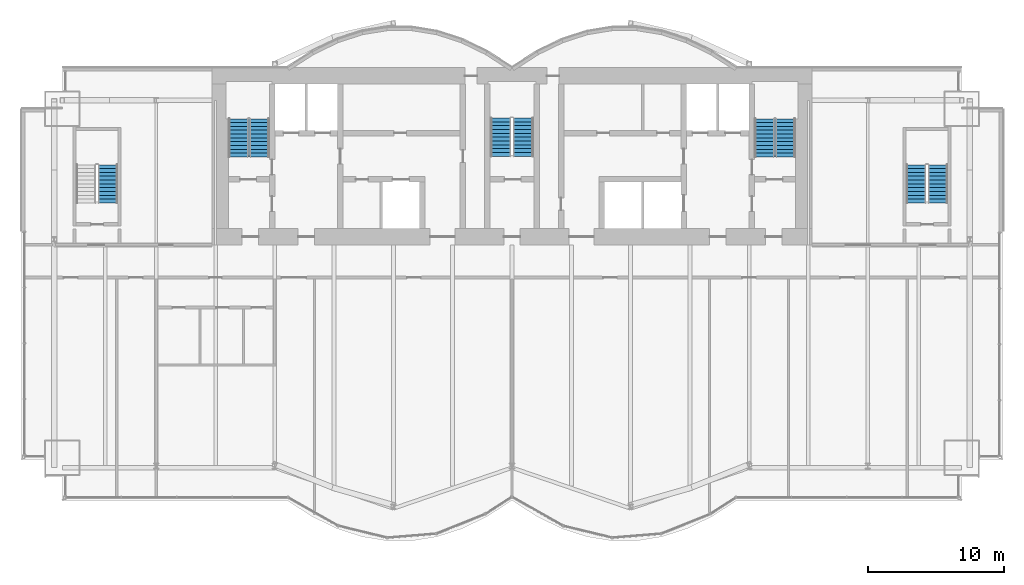
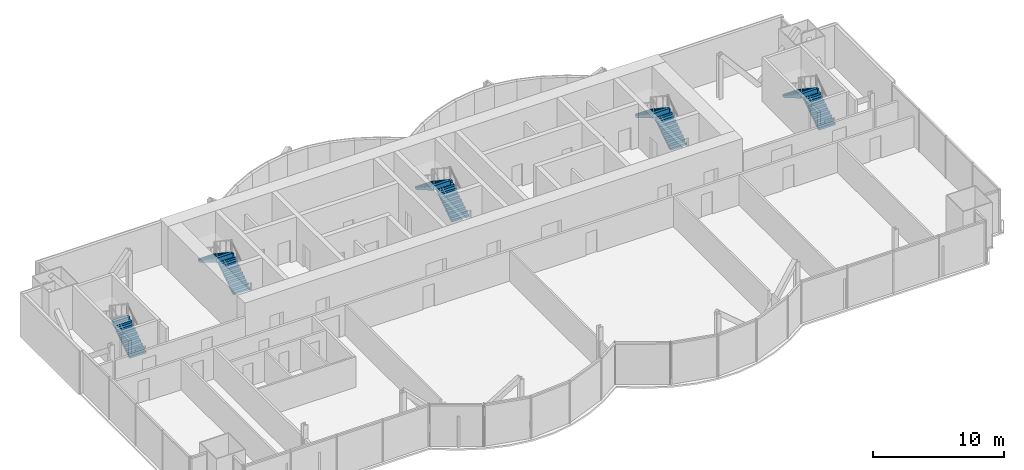
# One storey, part 17 of 20: 9 stair flights, 5 elements without a shape of their own.
"""IFC4 building model written with IfcOpenShell, lengths in metres."""

import ifcopenshell
import ifcopenshell.guid

model = None  # the IFC model being written
_history = None  # IfcOwnerHistory: only IFC2X3 demands one
_inside = {}  # id of a spatial element -> (the spatial element, [elements in it])
_under = {}  # id of a project, library or spatial element -> (it, [spatial elements below it])
_declared = {}  # id of a project -> (the project, [libraries it declares])
_typed = {}  # id of a type object -> (the type object, [elements of that type])
_made_of = {}  # id of a material, layer set ... -> (it, [elements and type objects made of it])


def new_model(schema):
    """Start an empty IFC model of exactly this schema.

    Asked for "IFC4X3", IfcOpenShell would pick the latest addendum, in which some entities
    have other attributes; the version numbers below select the first issue.
    IFC2X3 requires an IfcOwnerHistory on every rooted entity: one is made here for all.
    """
    global model, _history
    if schema == "IFC4X3":
        model = ifcopenshell.file(schema_version=(4, 3, 0, 0))
    else:
        model = ifcopenshell.file(schema=schema)
    _inside.clear()
    _under.clear()
    _declared.clear()
    _typed.clear()
    _made_of.clear()
    _history = None
    if model.schema == "IFC2X3":
        org = make("IfcOrganization", Name="unknown")
        user = make(
            "IfcPersonAndOrganization",
            ThePerson=make("IfcPerson", FamilyName="unknown"),
            TheOrganization=org,
        )
        app = make(
            "IfcApplication",
            ApplicationDeveloper=org,
            Version="unknown",
            ApplicationFullName="unknown",
            ApplicationIdentifier="unknown",
        )
        _history = make(
            "IfcOwnerHistory",
            OwningUser=user,
            OwningApplication=app,
            ChangeAction="ADDED",
            CreationDate=0,
        )
    return model


def make(cls, **values):
    """One entity of the class cls with the attributes given. An attribute that is None is left unset."""
    return model.create_entity(
        cls, **{name: value for name, value in values.items() if value is not None}
    )


def rooted(cls, **values):
    """An entity with a GlobalId (a new one), such as an element, a storey or a relation."""
    return make(cls, GlobalId=ifcopenshell.guid.new(), OwnerHistory=_history, **values)


def si_unit(unit_type, name, prefix=None):
    """IfcSIUnit, for example si_unit("LENGTHUNIT", "METRE", prefix="MILLI")."""
    return make("IfcSIUnit", UnitType=unit_type, Prefix=prefix, Name=name)


def assignment(units):
    """IfcUnitAssignment: the units of a project."""
    return None if units is None else make("IfcUnitAssignment", Units=units)


def point(xyz):
    """IfcCartesianPoint."""
    return None if xyz is None else make("IfcCartesianPoint", Coordinates=xyz)


def direction(xyz):
    """IfcDirection."""
    return None if xyz is None else make("IfcDirection", DirectionRatios=xyz)


def frame(location, z_axis=None, x_axis=None):
    """IfcAxis2Placement3D, a coordinate frame: its origin and axes. An axis left out is left unset."""
    return make(
        "IfcAxis2Placement3D",
        Location=point(location),
        Axis=direction(z_axis),
        RefDirection=direction(x_axis),
    )


def origin():
    """The frame at (0, 0, 0) with its axes left unset."""
    return frame((0.0, 0.0, 0.0))


def place(relative_to, where):
    """IfcLocalPlacement: puts the frame where relative to a parent placement (None: the world)."""
    return make(
        "IfcLocalPlacement", PlacementRelTo=relative_to, RelativePlacement=where
    )


def context(
    kind, dimensions, precision=None, world=None, true_north=None, identifier=None
):
    """IfcGeometricRepresentationContext, for example the 3D "Model" context."""
    return make(
        "IfcGeometricRepresentationContext",
        ContextIdentifier=identifier,
        ContextType=kind,
        CoordinateSpaceDimension=dimensions,
        Precision=precision,
        WorldCoordinateSystem=world,
        TrueNorth=true_north,
    )


def subcontext(parent, identifier, kind, view, scale=None):
    """IfcGeometricRepresentationSubContext, for example "Body" below "Model"."""
    return make(
        "IfcGeometricRepresentationSubContext",
        ContextIdentifier=identifier,
        ContextType=kind,
        ParentContext=parent,
        TargetScale=scale,
        TargetView=view,
    )


def project(units=None, contexts=None):
    """IfcProject with its units and contexts."""
    return rooted(
        "IfcProject",
        Name="project",
        RepresentationContexts=contexts,
        UnitsInContext=assignment(units),
    )


def spatial(cls, under=None, at=None, **own):
    """A site, building, storey or space (cls), placed at a placement, below another one or the project."""
    s = rooted(cls, ObjectPlacement=at, **own)
    if under is not None:
        _under.setdefault(under.id(), (under, []))[1].append(s)
    return s


def polyline(points):
    """IfcPolyline through the points."""
    return make("IfcPolyline", Points=[point(p) for p in points])


def outline(outer, holes=None, kind="AREA"):
    """IfcArbitraryClosedProfileDef: a profile drawn as a closed curve; with holes, ...WithVoids."""
    if holes is None:
        return make("IfcArbitraryClosedProfileDef", ProfileType=kind, OuterCurve=outer)
    return make(
        "IfcArbitraryProfileDefWithVoids",
        ProfileType=kind,
        OuterCurve=outer,
        InnerCurves=holes,
    )


def extrude(swept, where, along, depth):
    """IfcExtrudedAreaSolid: the profile swept, set in the frame where, extruded along a direction by depth."""
    return make(
        "IfcExtrudedAreaSolid",
        SweptArea=swept,
        Position=where,
        ExtrudedDirection=direction(along),
        Depth=depth,
    )


def shape(context_of_items, identifier, shape_type, items):
    """IfcShapeRepresentation: the items that make up one representation, for example the "Body"."""
    return make(
        "IfcShapeRepresentation",
        ContextOfItems=context_of_items,
        RepresentationIdentifier=identifier,
        RepresentationType=shape_type,
        Items=items,
    )


def material(Name=None, Category=None):
    """IfcMaterial."""
    return make("IfcMaterial", Name=Name, Category=Category)


def made_of(thing, what):
    """Note that an element or type object is made of a material, layer set ...; save() writes the relation."""
    if what is not None:
        _made_of.setdefault(what.id(), (what, []))[1].append(thing)
    return thing


def type_object(cls, material=None, **own):
    """A type object (cls), such as IfcWallType, which elements share."""
    return made_of(rooted(cls, **own), material)


def element(
    cls,
    number,
    at=None,
    inside=None,
    cuts=None,
    type_object=None,
    material=None,
    context=None,
    identifier="Body",
    shape_type=None,
    held_by="IfcProductDefinitionShape",
    body=None,
    shapes=None,
    **own,
):
    """One element of the class cls, such as IfcWall. Its Tag is "e" and its number.

    at: its placement. inside: the storey or other place that contains it. cuts: it is an
    opening in that element (IfcRelVoidsElement). A single representation is given by context,
    identifier, shape_type and body (its items); several are given by shapes. held_by: the class
    of the entity that holds the representations. save() writes the other relations.
    """
    e = rooted(cls, Tag="e%d" % number, ObjectPlacement=at, **own)
    if body is not None:
        shapes = [shape(context, identifier, shape_type, body)]
    if shapes is not None:
        e.Representation = make(held_by, Representations=shapes)
    if inside is not None:
        _inside.setdefault(inside.id(), (inside, []))[1].append(e)
    if cuts is not None:
        rooted(
            "IfcRelVoidsElement", RelatingBuildingElement=cuts, RelatedOpeningElement=e
        )
    if type_object is not None:
        _typed.setdefault(type_object.id(), (type_object, []))[1].append(e)
    return made_of(e, material)


def aggregate(whole, parts):
    """IfcRelAggregates: a whole, such as a stair, and the parts it consists of."""
    return rooted("IfcRelAggregates", RelatingObject=whole, RelatedObjects=parts)


def save(model, path):
    """Write the relations noted so far, then the file.

    IfcRelAggregates (storeys below a building ...), IfcRelContainedInSpatialStructure (elements
    in a storey), IfcRelDefinesByType, IfcRelAssociatesMaterial and IfcRelDeclares: one each for
    every whole, place, type object, material and project.
    """
    for whole, parts in _under.values():
        aggregate(whole, parts)
    for where, things in _inside.values():
        rooted(
            "IfcRelContainedInSpatialStructure",
            RelatedElements=things,
            RelatingStructure=where,
        )
    for kind, things in _typed.values():
        rooted("IfcRelDefinesByType", RelatedObjects=things, RelatingType=kind)
    for what, things in _made_of.values():
        rooted("IfcRelAssociatesMaterial", RelatedObjects=things, RelatingMaterial=what)
    for by, libraries in _declared.values():
        rooted("IfcRelDeclares", RelatingContext=by, RelatedDefinitions=libraries)
    model.write(path)


model = new_model("IFC4")

# Units and contexts
model_context = context("Model", 3, precision=1e-05, world=origin(), true_north=direction((0.0, 1.0)))
body_context = subcontext(model_context, "Body", "Model", "MODEL_VIEW")
ifc_project = project(units=[si_unit("LENGTHUNIT", "METRE"), si_unit("AREAUNIT", "SQUARE_METRE"), si_unit("VOLUMEUNIT", "CUBIC_METRE"), si_unit("PLANEANGLEUNIT", "RADIAN"), si_unit("MASSUNIT", "GRAM", prefix="KILO")], contexts=[model_context])

# Site, building, storey
site_placement = place(None, origin())
site = spatial("IfcSite", under=ifc_project, at=site_placement, CompositionType="ELEMENT")
building_placement = place(site_placement, origin())
building = spatial("IfcBuilding", under=site, at=building_placement, Name="Bicima Exchange Tower", CompositionType="ELEMENT")
storey_placement = place(building_placement, frame((0.0, 0.0, 215.5)))
storey = spatial("IfcBuildingStorey", under=building, at=storey_placement, Name="L48", CompositionType="ELEMENT", Elevation=215.5)

# Stair, stair flights
ifc_material = material(Name="Concrete C50/60", Category="concrete")
stair_type_1 = type_object("IfcStairType", Name="Exit stair", PredefinedType="HALF_TURN_STAIR", material=ifc_material)
stair_1_placement = place(storey_placement, origin())
stair_1 = element("IfcStair", 1, at=stair_1_placement, inside=storey, type_object=stair_type_1, Name="L48 West exit stair", PredefinedType="HALF_TURN_STAIR")
stair_flight_type_1 = type_object("IfcStairFlightType", Name="Stair flight RC", PredefinedType="STRAIGHT", material=ifc_material)
stair_flight_1_placement = place(storey_placement, frame((-18.52490234375, -6.550048828125, 0.0), z_axis=(0.0, 0.0, 1.0), x_axis=(0.0, 1.0, 0.0)))
stair_flight_1 = element("IfcStairFlight", 2, at=stair_flight_1_placement, type_object=stair_flight_type_1, Name="ST-W flight 1", NumberOfRisers=11, NumberOfTreads=10, PredefinedType="STRAIGHT", RiserHeight=0.186363636, TreadLength=0.28, context=body_context, shape_type="SweptSolid", body=[
    extrude(outline(polyline([(0.0, 0.0), (0.0, 0.186279296875), (0.280029296875, 0.186279296875), (0.280029296875, 0.372802734375), (0.56005859375, 0.372802734375), (0.56005859375, 0.55908203125), (0.840087890625, 0.55908203125), (0.840087890625, 0.745361328125), (1.1201171875, 0.745361328125), (1.1201171875, 0.931884765625), (1.39990234375, 0.931884765625), (1.39990234375, 1.1181640625), (1.679931640625, 1.1181640625), (1.679931640625, 1.304443359375), (1.9599609375, 1.304443359375), (1.9599609375, 1.490966796875), (2.239990234375, 1.490966796875), (2.239990234375, 1.67724609375), (2.52001953125, 1.67724609375), (2.52001953125, 1.863525390625), (2.800048828125, 1.863525390625), (2.800048828125, 2.050048828125), (2.800048828125, 1.68359375), (0.2705078125, 0.0), (0.0, 0.0)])), frame((0.0, 0.72509765625, 0.0), z_axis=(0.0, -1.0, 0.0), x_axis=(1.0, 0.0, 0.0)), (0.0, 0.0, 1.0), 1.449951171875),
])
stair_flight_2_placement = place(storey_placement, frame((-20.074951171875, -3.75, 2.050048828125), z_axis=(0.0, 0.0, 1.0), x_axis=(0.0, -1.0, 0.0)))
stair_flight_2 = element("IfcStairFlight", 3, at=stair_flight_2_placement, type_object=stair_flight_type_1, Name="ST-W flight 2", NumberOfRisers=11, NumberOfTreads=10, PredefinedType="STRAIGHT", RiserHeight=0.186363636, TreadLength=0.28, context=body_context, shape_type="SweptSolid", body=[
    extrude(outline(polyline([(0.0, 0.0), (0.0, 0.186279296875), (0.280029296875, 0.186279296875), (0.280029296875, 0.372802734375), (0.56005859375, 0.372802734375), (0.56005859375, 0.55908203125), (0.840087890625, 0.55908203125), (0.840087890625, 0.745361328125), (1.1201171875, 0.745361328125), (1.1201171875, 0.931884765625), (1.39990234375, 0.931884765625), (1.39990234375, 1.1181640625), (1.679931640625, 1.1181640625), (1.679931640625, 1.304443359375), (1.9599609375, 1.304443359375), (1.9599609375, 1.490966796875), (2.239990234375, 1.490966796875), (2.239990234375, 1.67724609375), (2.52001953125, 1.67724609375), (2.52001953125, 1.863525390625), (2.800048828125, 1.863525390625), (2.800048828125, 1.904052734375), (2.81494140625, 1.904052734375), (2.81494140625, 1.507080078125), (0.2705078125, 0.0), (0.0, 0.0)])), frame((0.0, 0.72509765625, 0.0), z_axis=(0.0, -1.0, 0.0), x_axis=(1.0, 0.0, 0.0)), (0.0, 0.0, 1.0), 1.449951171875),
])
aggregate(stair_1, [stair_flight_1, stair_flight_2])

stair_2_placement = place(storey_placement, origin())
stair_2 = element("IfcStair", 4, at=stair_2_placement, inside=storey, type_object=stair_type_1, Name="L48 East exit stair", PredefinedType="HALF_TURN_STAIR")
stair_flight_3_placement = place(storey_placement, frame((20.074951171875, -6.550048828125, 0.0), z_axis=(0.0, 0.0, 1.0), x_axis=(0.0, 1.0, 0.0)))
stair_flight_3 = element("IfcStairFlight", 5, at=stair_flight_3_placement, type_object=stair_flight_type_1, Name="ST-E flight 1", NumberOfRisers=11, NumberOfTreads=10, PredefinedType="STRAIGHT", RiserHeight=0.186363636, TreadLength=0.28, context=body_context, shape_type="SweptSolid", body=[
    extrude(outline(polyline([(0.0, 0.0), (0.0, 0.186279296875), (0.280029296875, 0.186279296875), (0.280029296875, 0.372802734375), (0.56005859375, 0.372802734375), (0.56005859375, 0.55908203125), (0.840087890625, 0.55908203125), (0.840087890625, 0.745361328125), (1.1201171875, 0.745361328125), (1.1201171875, 0.931884765625), (1.39990234375, 0.931884765625), (1.39990234375, 1.1181640625), (1.679931640625, 1.1181640625), (1.679931640625, 1.304443359375), (1.9599609375, 1.304443359375), (1.9599609375, 1.490966796875), (2.239990234375, 1.490966796875), (2.239990234375, 1.67724609375), (2.52001953125, 1.67724609375), (2.52001953125, 1.863525390625), (2.800048828125, 1.863525390625), (2.800048828125, 2.050048828125), (2.800048828125, 1.68359375), (0.2705078125, 0.0), (0.0, 0.0)])), frame((0.0, 0.72509765625, 0.0), z_axis=(0.0, -1.0, 0.0), x_axis=(1.0, 0.0, 0.0)), (0.0, 0.0, 1.0), 1.449951171875),
])
stair_flight_4_placement = place(storey_placement, frame((18.52490234375, -3.75, 2.050048828125), z_axis=(0.0, 0.0, 1.0), x_axis=(0.0, -1.0, 0.0)))
stair_flight_4 = element("IfcStairFlight", 6, at=stair_flight_4_placement, type_object=stair_flight_type_1, Name="ST-E flight 2", NumberOfRisers=11, NumberOfTreads=10, PredefinedType="STRAIGHT", RiserHeight=0.186363636, TreadLength=0.28, context=body_context, shape_type="SweptSolid", body=[
    extrude(outline(polyline([(0.0, 0.0), (0.0, 0.186279296875), (0.280029296875, 0.186279296875), (0.280029296875, 0.372802734375), (0.56005859375, 0.372802734375), (0.56005859375, 0.55908203125), (0.840087890625, 0.55908203125), (0.840087890625, 0.745361328125), (1.1201171875, 0.745361328125), (1.1201171875, 0.931884765625), (1.39990234375, 0.931884765625), (1.39990234375, 1.1181640625), (1.679931640625, 1.1181640625), (1.679931640625, 1.304443359375), (1.9599609375, 1.304443359375), (1.9599609375, 1.490966796875), (2.239990234375, 1.490966796875), (2.239990234375, 1.67724609375), (2.52001953125, 1.67724609375), (2.52001953125, 1.863525390625), (2.800048828125, 1.863525390625), (2.800048828125, 1.904052734375), (2.81494140625, 1.904052734375), (2.81494140625, 1.507080078125), (0.2705078125, 0.0), (0.0, 0.0)])), frame((0.0, 0.72509765625, 0.0), z_axis=(0.0, -1.0, 0.0), x_axis=(1.0, 0.0, 0.0)), (0.0, 0.0, 1.0), 1.449951171875),
])
aggregate(stair_2, [stair_flight_3, stair_flight_4])

# Stair, stair flight
stair_3_placement = place(storey_placement, origin())
stair_3 = element("IfcStair", 7, at=stair_3_placement, inside=storey, type_object=stair_type_1, Name="L48 West end exit stair", PredefinedType="HALF_TURN_STAIR")
stair_flight_5_placement = place(storey_placement, frame((-29.64990234375, -9.925048828125, 0.0), z_axis=(0.0, 0.0, 1.0), x_axis=(0.0, 1.0, 0.0)))
stair_flight_5 = element("IfcStairFlight", 8, at=stair_flight_5_placement, type_object=stair_flight_type_1, Name="ST-WW flight 1", NumberOfRisers=11, NumberOfTreads=10, PredefinedType="STRAIGHT", RiserHeight=0.186363636, TreadLength=0.28, context=body_context, shape_type="SweptSolid", body=[
    extrude(outline(polyline([(0.0, 0.0), (0.0, 0.186279296875), (0.280029296875, 0.186279296875), (0.280029296875, 0.372802734375), (0.56005859375, 0.372802734375), (0.56005859375, 0.55908203125), (0.840087890625, 0.55908203125), (0.840087890625, 0.745361328125), (1.1201171875, 0.745361328125), (1.1201171875, 0.931884765625), (1.39990234375, 0.931884765625), (1.39990234375, 1.1181640625), (1.679931640625, 1.1181640625), (1.679931640625, 1.304443359375), (1.9599609375, 1.304443359375), (1.9599609375, 1.490966796875), (2.239990234375, 1.490966796875), (2.239990234375, 1.67724609375), (2.52001953125, 1.67724609375), (2.52001953125, 1.863525390625), (2.800048828125, 1.863525390625), (2.800048828125, 2.050048828125), (2.800048828125, 1.68359375), (0.2705078125, 0.0), (0.0, 0.0)])), frame((0.0, 0.72509765625, 0.0), z_axis=(0.0, -1.0, 0.0), x_axis=(1.0, 0.0, 0.0)), (0.0, 0.0, 1.0), 1.449951171875),
])
aggregate(stair_3, [stair_flight_5])

# Stair, stair flights
stair_4_placement = place(storey_placement, origin())
stair_4 = element("IfcStair", 9, at=stair_4_placement, inside=storey, type_object=stair_type_1, Name="L48 East end exit stair", PredefinedType="HALF_TURN_STAIR")
stair_flight_6_placement = place(storey_placement, frame((31.25, -9.925048828125, 0.0), z_axis=(0.0, 0.0, 1.0), x_axis=(0.0, 1.0, 0.0)))
stair_flight_6 = element("IfcStairFlight", 10, at=stair_flight_6_placement, type_object=stair_flight_type_1, Name="ST-EE flight 1", NumberOfRisers=11, NumberOfTreads=10, PredefinedType="STRAIGHT", RiserHeight=0.186363636, TreadLength=0.28, context=body_context, shape_type="SweptSolid", body=[
    extrude(outline(polyline([(0.0, 0.0), (0.0, 0.186279296875), (0.280029296875, 0.186279296875), (0.280029296875, 0.372802734375), (0.56005859375, 0.372802734375), (0.56005859375, 0.55908203125), (0.840087890625, 0.55908203125), (0.840087890625, 0.745361328125), (1.1201171875, 0.745361328125), (1.1201171875, 0.931884765625), (1.39990234375, 0.931884765625), (1.39990234375, 1.1181640625), (1.679931640625, 1.1181640625), (1.679931640625, 1.304443359375), (1.9599609375, 1.304443359375), (1.9599609375, 1.490966796875), (2.239990234375, 1.490966796875), (2.239990234375, 1.67724609375), (2.52001953125, 1.67724609375), (2.52001953125, 1.863525390625), (2.800048828125, 1.863525390625), (2.800048828125, 2.050048828125), (2.800048828125, 1.68359375), (0.2705078125, 0.0), (0.0, 0.0)])), frame((0.0, 0.72509765625, 0.0), z_axis=(0.0, -1.0, 0.0), x_axis=(1.0, 0.0, 0.0)), (0.0, 0.0, 1.0), 1.449951171875),
])
stair_flight_7_placement = place(storey_placement, frame((29.64990234375, -7.125, 2.050048828125), z_axis=(0.0, 0.0, 1.0), x_axis=(0.0, -1.0, 0.0)))
stair_flight_7 = element("IfcStairFlight", 11, at=stair_flight_7_placement, type_object=stair_flight_type_1, Name="ST-EE flight 2", NumberOfRisers=11, NumberOfTreads=10, PredefinedType="STRAIGHT", RiserHeight=0.186363636, TreadLength=0.28, context=body_context, shape_type="SweptSolid", body=[
    extrude(outline(polyline([(0.0, 0.0), (0.0, 0.186279296875), (0.280029296875, 0.186279296875), (0.280029296875, 0.372802734375), (0.56005859375, 0.372802734375), (0.56005859375, 0.55908203125), (0.840087890625, 0.55908203125), (0.840087890625, 0.745361328125), (1.1201171875, 0.745361328125), (1.1201171875, 0.931884765625), (1.39990234375, 0.931884765625), (1.39990234375, 1.1181640625), (1.679931640625, 1.1181640625), (1.679931640625, 1.304443359375), (1.9599609375, 1.304443359375), (1.9599609375, 1.490966796875), (2.239990234375, 1.490966796875), (2.239990234375, 1.67724609375), (2.52001953125, 1.67724609375), (2.52001953125, 1.863525390625), (2.800048828125, 1.863525390625), (2.800048828125, 1.904052734375), (2.81494140625, 1.904052734375), (2.81494140625, 1.507080078125), (0.2705078125, 0.0), (0.0, 0.0)])), frame((0.0, 0.72509765625, 0.0), z_axis=(0.0, -1.0, 0.0), x_axis=(1.0, 0.0, 0.0)), (0.0, 0.0, 1.0), 1.449951171875),
])
aggregate(stair_4, [stair_flight_6, stair_flight_7])

stair_type_2 = type_object("IfcStairType", Name="Exit stair 1500", PredefinedType="HALF_TURN_STAIR", material=ifc_material)
stair_5_placement = place(storey_placement, origin())
stair_5 = element("IfcStair", 12, at=stair_5_placement, inside=storey, type_object=stair_type_2, Name="L48 Central exit stair", PredefinedType="HALF_TURN_STAIR")
stair_flight_type_2 = type_object("IfcStairFlightType", Name="Stair flight RC 1500", PredefinedType="STRAIGHT", material=ifc_material)
stair_flight_8_placement = place(storey_placement, frame((0.824951171875, -6.5, 0.0), z_axis=(0.0, 0.0, 1.0), x_axis=(0.0, 1.0, 0.0)))
stair_flight_8 = element("IfcStairFlight", 13, at=stair_flight_8_placement, type_object=stair_flight_type_2, Name="ST-C flight 1", NumberOfRisers=11, NumberOfTreads=10, PredefinedType="STRAIGHT", RiserHeight=0.186363636, TreadLength=0.28, context=body_context, shape_type="SweptSolid", body=[
    extrude(outline(polyline([(0.0, 0.0), (0.0, 0.186279296875), (0.280029296875, 0.186279296875), (0.280029296875, 0.372802734375), (0.56005859375, 0.372802734375), (0.56005859375, 0.55908203125), (0.840087890625, 0.55908203125), (0.840087890625, 0.745361328125), (1.1201171875, 0.745361328125), (1.1201171875, 0.931884765625), (1.39990234375, 0.931884765625), (1.39990234375, 1.1181640625), (1.679931640625, 1.1181640625), (1.679931640625, 1.304443359375), (1.9599609375, 1.304443359375), (1.9599609375, 1.490966796875), (2.239990234375, 1.490966796875), (2.239990234375, 1.67724609375), (2.52001953125, 1.67724609375), (2.52001953125, 1.863525390625), (2.800048828125, 1.863525390625), (2.800048828125, 2.050048828125), (2.800048828125, 1.68359375), (0.2705078125, 0.0), (0.0, 0.0)])), frame((0.0, 0.75, 0.0), z_axis=(0.0, -1.0, 0.0), x_axis=(1.0, 0.0, 0.0)), (0.0, 0.0, 1.0), 1.5),
])
stair_flight_9_placement = place(storey_placement, frame((-0.824951171875, -3.699951171875, 2.050048828125), z_axis=(0.0, 0.0, 1.0), x_axis=(0.0, -1.0, 0.0)))
stair_flight_9 = element("IfcStairFlight", 14, at=stair_flight_9_placement, type_object=stair_flight_type_2, Name="ST-C flight 2", NumberOfRisers=11, NumberOfTreads=10, PredefinedType="STRAIGHT", RiserHeight=0.186363636, TreadLength=0.28, context=body_context, shape_type="SweptSolid", body=[
    extrude(outline(polyline([(0.0, 0.0), (0.0, 0.186279296875), (0.280029296875, 0.186279296875), (0.280029296875, 0.372802734375), (0.56005859375, 0.372802734375), (0.56005859375, 0.55908203125), (0.840087890625, 0.55908203125), (0.840087890625, 0.745361328125), (1.1201171875, 0.745361328125), (1.1201171875, 0.931884765625), (1.39990234375, 0.931884765625), (1.39990234375, 1.1181640625), (1.679931640625, 1.1181640625), (1.679931640625, 1.304443359375), (1.9599609375, 1.304443359375), (1.9599609375, 1.490966796875), (2.239990234375, 1.490966796875), (2.239990234375, 1.67724609375), (2.52001953125, 1.67724609375), (2.52001953125, 1.863525390625), (2.800048828125, 1.863525390625), (2.800048828125, 1.904052734375), (2.81494140625, 1.904052734375), (2.81494140625, 1.507080078125), (0.2705078125, 0.0), (0.0, 0.0)])), frame((0.0, 0.75, 0.0), z_axis=(0.0, -1.0, 0.0), x_axis=(1.0, 0.0, 0.0)), (0.0, 0.0, 1.0), 1.5),
])
aggregate(stair_5, [stair_flight_8, stair_flight_9])

save(model, "model.ifc")
